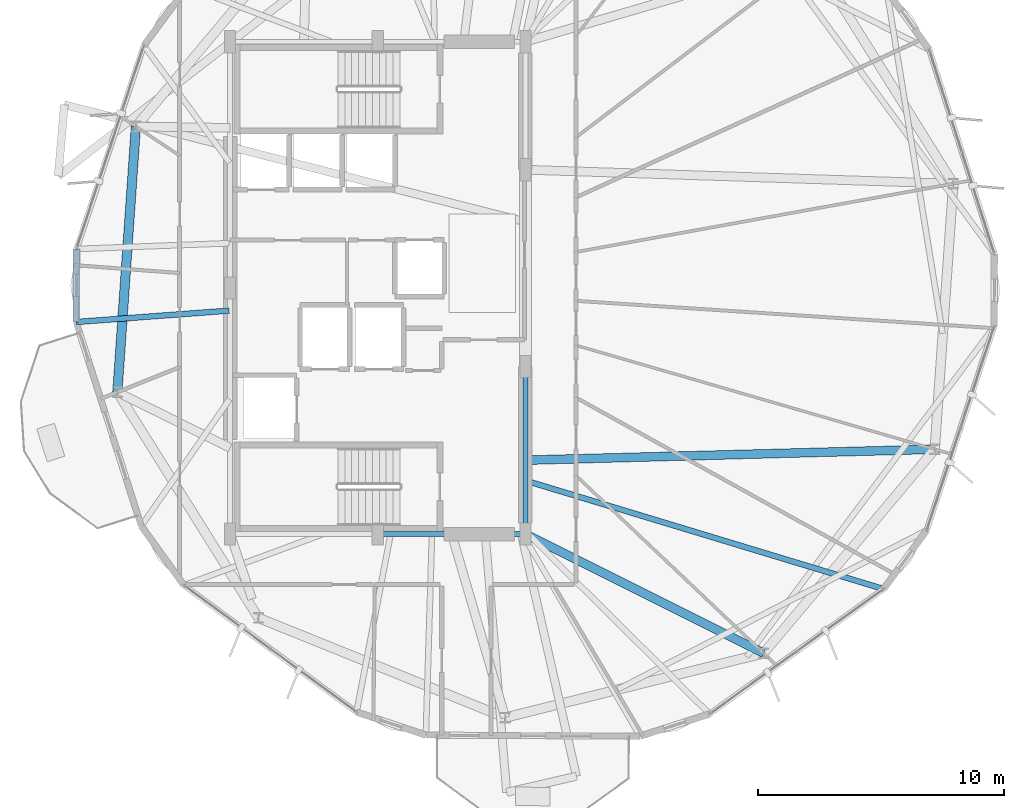
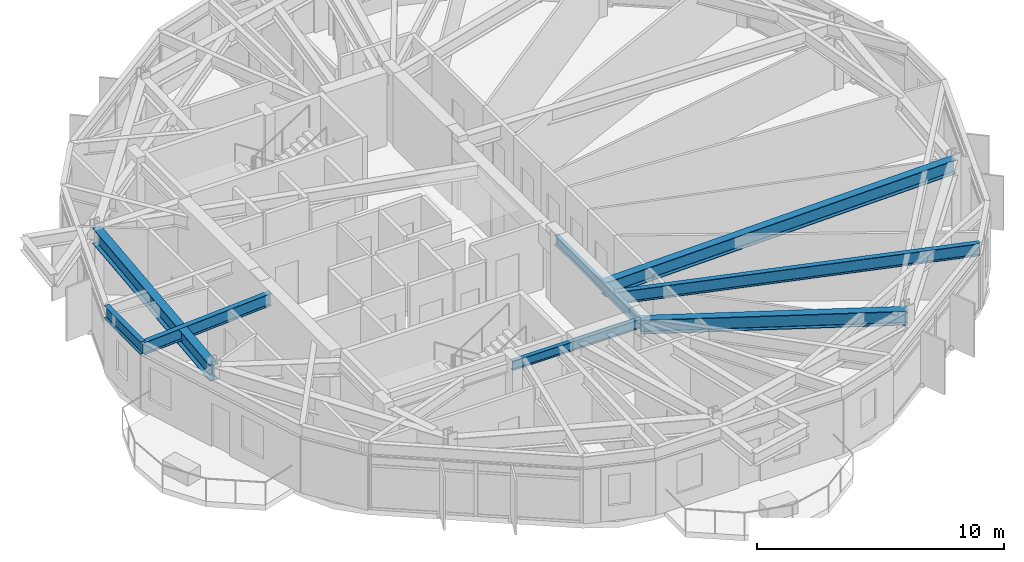
# One storey, part 5 of 24: 8 beams.
"""IFC4 building model written with IfcOpenShell, lengths in metres."""

import ifcopenshell
import ifcopenshell.guid

model = None  # the IFC model being written
_history = None  # IfcOwnerHistory: only IFC2X3 demands one
_inside = {}  # id of a spatial element -> (the spatial element, [elements in it])
_under = {}  # id of a project, library or spatial element -> (it, [spatial elements below it])
_declared = {}  # id of a project -> (the project, [libraries it declares])
_typed = {}  # id of a type object -> (the type object, [elements of that type])
_made_of = {}  # id of a material, layer set ... -> (it, [elements and type objects made of it])


def new_model(schema):
    """Start an empty IFC model of exactly this schema.

    Asked for "IFC4X3", IfcOpenShell would pick the latest addendum, in which some entities
    have other attributes; the version numbers below select the first issue.
    IFC2X3 requires an IfcOwnerHistory on every rooted entity: one is made here for all.
    """
    global model, _history
    if schema == "IFC4X3":
        model = ifcopenshell.file(schema_version=(4, 3, 0, 0))
    else:
        model = ifcopenshell.file(schema=schema)
    _inside.clear()
    _under.clear()
    _declared.clear()
    _typed.clear()
    _made_of.clear()
    _history = None
    if model.schema == "IFC2X3":
        org = make("IfcOrganization", Name="unknown")
        user = make(
            "IfcPersonAndOrganization",
            ThePerson=make("IfcPerson", FamilyName="unknown"),
            TheOrganization=org,
        )
        app = make(
            "IfcApplication",
            ApplicationDeveloper=org,
            Version="unknown",
            ApplicationFullName="unknown",
            ApplicationIdentifier="unknown",
        )
        _history = make(
            "IfcOwnerHistory",
            OwningUser=user,
            OwningApplication=app,
            ChangeAction="ADDED",
            CreationDate=0,
        )
    return model


def make(cls, **values):
    """One entity of the class cls with the attributes given. An attribute that is None is left unset."""
    return model.create_entity(
        cls, **{name: value for name, value in values.items() if value is not None}
    )


def rooted(cls, **values):
    """An entity with a GlobalId (a new one), such as an element, a storey or a relation."""
    return make(cls, GlobalId=ifcopenshell.guid.new(), OwnerHistory=_history, **values)


def si_unit(unit_type, name, prefix=None):
    """IfcSIUnit, for example si_unit("LENGTHUNIT", "METRE", prefix="MILLI")."""
    return make("IfcSIUnit", UnitType=unit_type, Prefix=prefix, Name=name)


def assignment(units):
    """IfcUnitAssignment: the units of a project."""
    return None if units is None else make("IfcUnitAssignment", Units=units)


def point(xyz):
    """IfcCartesianPoint."""
    return None if xyz is None else make("IfcCartesianPoint", Coordinates=xyz)


def direction(xyz):
    """IfcDirection."""
    return None if xyz is None else make("IfcDirection", DirectionRatios=xyz)


def frame(location, z_axis=None, x_axis=None):
    """IfcAxis2Placement3D, a coordinate frame: its origin and axes. An axis left out is left unset."""
    return make(
        "IfcAxis2Placement3D",
        Location=point(location),
        Axis=direction(z_axis),
        RefDirection=direction(x_axis),
    )


def frame_2d(location, x_axis=None):
    """IfcAxis2Placement2D, a coordinate frame in the plane: its origin and x axis."""
    return make(
        "IfcAxis2Placement2D", Location=point(location), RefDirection=direction(x_axis)
    )


def origin():
    """The frame at (0, 0, 0) with its axes left unset."""
    return frame((0.0, 0.0, 0.0))


def origin_2d():
    """The frame at (0, 0) in the plane with its x axis left unset."""
    return frame_2d((0.0, 0.0))


def place(relative_to, where):
    """IfcLocalPlacement: puts the frame where relative to a parent placement (None: the world)."""
    return make(
        "IfcLocalPlacement", PlacementRelTo=relative_to, RelativePlacement=where
    )


def context(
    kind, dimensions, precision=None, world=None, true_north=None, identifier=None
):
    """IfcGeometricRepresentationContext, for example the 3D "Model" context."""
    return make(
        "IfcGeometricRepresentationContext",
        ContextIdentifier=identifier,
        ContextType=kind,
        CoordinateSpaceDimension=dimensions,
        Precision=precision,
        WorldCoordinateSystem=world,
        TrueNorth=true_north,
    )


def subcontext(parent, identifier, kind, view, scale=None):
    """IfcGeometricRepresentationSubContext, for example "Body" below "Model"."""
    return make(
        "IfcGeometricRepresentationSubContext",
        ContextIdentifier=identifier,
        ContextType=kind,
        ParentContext=parent,
        TargetScale=scale,
        TargetView=view,
    )


def project(units=None, contexts=None):
    """IfcProject with its units and contexts."""
    return rooted(
        "IfcProject",
        Name="project",
        RepresentationContexts=contexts,
        UnitsInContext=assignment(units),
    )


def spatial(cls, under=None, at=None, **own):
    """A site, building, storey or space (cls), placed at a placement, below another one or the project."""
    s = rooted(cls, ObjectPlacement=at, **own)
    if under is not None:
        _under.setdefault(under.id(), (under, []))[1].append(s)
    return s


def profile(cls, at=None, kind="AREA", **sizes):
    """A parametric profile (cls). Its sizes go by their IFC names, for example OverallWidth=200.0."""
    return make(cls, ProfileType=kind, Position=at, **sizes)


def i_section(**sizes):
    """IfcIShapeProfileDef."""
    return profile("IfcIShapeProfileDef", **sizes)


def extrude(swept, where, along, depth):
    """IfcExtrudedAreaSolid: the profile swept, set in the frame where, extruded along a direction by depth."""
    return make(
        "IfcExtrudedAreaSolid",
        SweptArea=swept,
        Position=where,
        ExtrudedDirection=direction(along),
        Depth=depth,
    )


def shape(context_of_items, identifier, shape_type, items):
    """IfcShapeRepresentation: the items that make up one representation, for example the "Body"."""
    return make(
        "IfcShapeRepresentation",
        ContextOfItems=context_of_items,
        RepresentationIdentifier=identifier,
        RepresentationType=shape_type,
        Items=items,
    )


def material(Name=None, Category=None):
    """IfcMaterial."""
    return make("IfcMaterial", Name=Name, Category=Category)


def material_profile(
    of_material, cross_section, Name=None, Category=None, Priority=None
):
    """IfcMaterialProfile: a cross section and its material."""
    return make(
        "IfcMaterialProfile",
        Name=Name,
        Material=of_material,
        Profile=cross_section,
        Priority=Priority,
        Category=Category,
    )


def profile_set(profiles, Name=None, composite=None):
    """IfcMaterialProfileSet."""
    return make(
        "IfcMaterialProfileSet",
        Name=Name,
        MaterialProfiles=profiles,
        CompositeProfile=composite,
    )


def made_of(thing, what):
    """Note that an element or type object is made of a material, layer set ...; save() writes the relation."""
    if what is not None:
        _made_of.setdefault(what.id(), (what, []))[1].append(thing)
    return thing


def type_object(cls, material=None, **own):
    """A type object (cls), such as IfcWallType, which elements share."""
    return made_of(rooted(cls, **own), material)


def element(
    cls,
    number,
    at=None,
    inside=None,
    cuts=None,
    type_object=None,
    material=None,
    context=None,
    identifier="Body",
    shape_type=None,
    held_by="IfcProductDefinitionShape",
    body=None,
    shapes=None,
    **own,
):
    """One element of the class cls, such as IfcWall. Its Tag is "e" and its number.

    at: its placement. inside: the storey or other place that contains it. cuts: it is an
    opening in that element (IfcRelVoidsElement). A single representation is given by context,
    identifier, shape_type and body (its items); several are given by shapes. held_by: the class
    of the entity that holds the representations. save() writes the other relations.
    """
    e = rooted(cls, Tag="e%d" % number, ObjectPlacement=at, **own)
    if body is not None:
        shapes = [shape(context, identifier, shape_type, body)]
    if shapes is not None:
        e.Representation = make(held_by, Representations=shapes)
    if inside is not None:
        _inside.setdefault(inside.id(), (inside, []))[1].append(e)
    if cuts is not None:
        rooted(
            "IfcRelVoidsElement", RelatingBuildingElement=cuts, RelatedOpeningElement=e
        )
    if type_object is not None:
        _typed.setdefault(type_object.id(), (type_object, []))[1].append(e)
    return made_of(e, material)


def aggregate(whole, parts):
    """IfcRelAggregates: a whole, such as a stair, and the parts it consists of."""
    return rooted("IfcRelAggregates", RelatingObject=whole, RelatedObjects=parts)


def save(model, path):
    """Write the relations noted so far, then the file.

    IfcRelAggregates (storeys below a building ...), IfcRelContainedInSpatialStructure (elements
    in a storey), IfcRelDefinesByType, IfcRelAssociatesMaterial and IfcRelDeclares: one each for
    every whole, place, type object, material and project.
    """
    for whole, parts in _under.values():
        aggregate(whole, parts)
    for where, things in _inside.values():
        rooted(
            "IfcRelContainedInSpatialStructure",
            RelatedElements=things,
            RelatingStructure=where,
        )
    for kind, things in _typed.values():
        rooted("IfcRelDefinesByType", RelatedObjects=things, RelatingType=kind)
    for what, things in _made_of.values():
        rooted("IfcRelAssociatesMaterial", RelatedObjects=things, RelatingMaterial=what)
    for by, libraries in _declared.values():
        rooted("IfcRelDeclares", RelatingContext=by, RelatedDefinitions=libraries)
    model.write(path)


model = new_model("IFC4")

# Units and contexts
model_context = context("Model", 3, precision=1e-05, world=origin(), true_north=direction((0.0, 1.0)))
body_context = subcontext(model_context, "Body", "Model", "MODEL_VIEW")
ifc_project = project(units=[si_unit("LENGTHUNIT", "METRE"), si_unit("AREAUNIT", "SQUARE_METRE"), si_unit("VOLUMEUNIT", "CUBIC_METRE"), si_unit("PLANEANGLEUNIT", "RADIAN"), si_unit("MASSUNIT", "GRAM", prefix="KILO")], contexts=[model_context])

# Site, building, storey
site_placement = place(None, origin())
site = spatial("IfcSite", under=ifc_project, at=site_placement, CompositionType="ELEMENT")
building_placement = place(site_placement, origin())
building = spatial("IfcBuilding", under=site, at=building_placement, Name="Soratama Intermodal Tower", CompositionType="ELEMENT")
storey_placement = place(building_placement, frame((0.0, 0.0, 164.199951171875)))
storey = spatial("IfcBuildingStorey", under=building, at=storey_placement, Name="L40", CompositionType="ELEMENT", Elevation=164.199951171875)

# Beams
ifc_material_1 = material(Name="Structural steel ASTM A992 Grade 50", Category="steel")
ifc_material_profile_1 = material_profile(ifc_material_1, i_section(OverallWidth=0.19091796875, OverallDepth=0.4599609375, WebThickness=0.010009765625, FlangeThickness=0.01611328125, FilletRadius=0.010986328125, at=origin_2d()), Name="W18X55")
ifc_profile_set_1 = profile_set([ifc_material_profile_1], Name="Structural steel ASTM A992 Grade 50")
beam_type_1 = type_object("IfcBeamType", Name="BM-FLR-W18X55", PredefinedType="BEAM", material=ifc_profile_set_1)
beam_1_placement = place(storey_placement, frame((38.60009765625, 15.0, 3.070068359375), z_axis=(1.0, 0.0, 0.0), x_axis=(0.0, 1.0, 0.0)))
element("IfcBeam", 1, at=beam_1_placement, inside=storey, type_object=beam_type_1, Name="BM-L40-CRING-02", PredefinedType="BEAM", context=body_context, shape_type="SweptSolid", body=[
    extrude(i_section(OverallWidth=0.19091796875, OverallDepth=0.4599609375, WebThickness=0.010009765625, FlangeThickness=0.01611328125, FilletRadius=0.010986328125, at=origin_2d()), origin(), (0.0, 0.0, 1.0), 6.0),
])
beam_2_placement = place(storey_placement, frame((44.60009765625, 15.0, 3.070068359375), z_axis=(0.0, 1.0, 0.0), x_axis=(-1.0, 0.0, 0.0)))
element("IfcBeam", 2, at=beam_2_placement, inside=storey, type_object=beam_type_1, Name="BM-L40-CRING-03", PredefinedType="BEAM", context=body_context, shape_type="SweptSolid", body=[
    extrude(i_section(OverallWidth=0.19091796875, OverallDepth=0.4599609375, WebThickness=0.010009765625, FlangeThickness=0.01611328125, FilletRadius=0.010986328125, at=origin_2d()), origin(), (0.0, 0.0, 1.0), 6.800048828125),
])
ifc_material_2 = material(Name="Structural steel ASTM A992 Grade 50", Category="steel")
ifc_material_profile_2 = material_profile(ifc_material_2, i_section(OverallWidth=0.35498046875, OverallDepth=0.695068359375, WebThickness=0.015380859375, FlangeThickness=0.02490234375, FilletRadius=0.01611328125, at=origin_2d()), Name="W27X146")
ifc_profile_set_2 = profile_set([ifc_material_profile_2], Name="Structural steel ASTM A992 Grade 50")
beam_type_2 = type_object("IfcBeamType", Name="BM-RING-W27X146", PredefinedType="BEAM", material=ifc_profile_set_2)
beam_3_placement = place(storey_placement, frame((44.60009765625, 15.0, 2.95263671875), z_axis=(0.894273669201, -0.447520507434, 0.0), x_axis=(0.447520507434, 0.894273669201, 0.0)))
element("IfcBeam", 3, at=beam_3_placement, inside=storey, type_object=beam_type_2, Name="BM-L40-RAD-09", PredefinedType="BEAM", context=body_context, shape_type="SweptSolid", body=[
    extrude(i_section(OverallWidth=0.35498046875, OverallDepth=0.695068359375, WebThickness=0.015380859375, FlangeThickness=0.02490234375, FilletRadius=0.01611328125, at=origin_2d()), origin(), (0.0, 0.0, 1.0), 10.817626953125),
])
beam_4_placement = place(storey_placement, frame((44.60009765625, 18.0, 2.95263671875), z_axis=(0.999643459503, 0.026701196077, 0.0), x_axis=(-0.026701196077, 0.999643459503, 0.0)))
element("IfcBeam", 4, at=beam_4_placement, inside=storey, type_object=beam_type_2, Name="BM-L40-RAD-10", PredefinedType="BEAM", context=body_context, shape_type="SweptSolid", body=[
    extrude(i_section(OverallWidth=0.35498046875, OverallDepth=0.695068359375, WebThickness=0.015380859375, FlangeThickness=0.02490234375, FilletRadius=0.01611328125, at=origin_2d()), origin(), (0.0, 0.0, 1.0), 16.6318359375),
])
ifc_material_3 = material(Name="Structural steel ASTM A992 Grade 50", Category="steel")
ifc_material_profile_3 = material_profile(ifc_material_3, i_section(OverallWidth=0.382080078125, OverallDepth=0.779052734375, WebThickness=0.01806640625, FlangeThickness=0.030029296875, FilletRadius=0.01806640625, at=origin_2d()), Name="W30X191")
ifc_profile_set_3 = profile_set([ifc_material_profile_3], Name="Structural steel ASTM A992 Grade 50")
beam_type_3 = type_object("IfcBeamType", Name="BM-RING-W30X191", PredefinedType="BEAM", material=ifc_profile_set_3)
beam_5_placement = place(storey_placement, frame((28.77392578125, 31.555908203125, 2.91064453125), z_axis=(-0.069702217409, -0.99756784275, 0.0), x_axis=(0.99756784275, -0.069702217409, 0.0)))
element("IfcBeam", 5, at=beam_5_placement, inside=storey, type_object=beam_type_3, Name="BM-L40-RING-05", PredefinedType="BEAM", context=body_context, shape_type="SweptSolid", body=[
    extrude(i_section(OverallWidth=0.382080078125, OverallDepth=0.779052734375, WebThickness=0.01806640625, FlangeThickness=0.030029296875, FilletRadius=0.01806640625, at=origin_2d()), origin(), (0.0, 0.0, 1.0), 10.816162109375),
])
ifc_material_4 = material(Name="Structural steel ASTM A992 Grade 50", Category="steel")
ifc_material_profile_4 = material_profile(ifc_material_4, i_section(OverallWidth=0.22900390625, OverallDepth=0.612060546875, WebThickness=0.011962890625, FlangeThickness=0.01953125, FilletRadius=0.012939453125, at=origin_2d()), Name="W24X84")
ifc_profile_set_4 = profile_set([ifc_material_profile_4], Name="Structural steel ASTM A992 Grade 50")
beam_type_4 = type_object("IfcBeamType", Name="BM-SPN-W24X84", PredefinedType="SPANDREL", material=ifc_profile_set_4)
beam_6_placement = place(storey_placement, frame((26.362060546875, 26.5810546875, 2.994140625), z_axis=(-0.005430677754, -0.999985253761, 0.0), x_axis=(0.999985253761, -0.005430677754, 0.0)))
element("IfcBeam", 6, at=beam_6_placement, inside=storey, type_object=beam_type_4, Name="BS-L40-CRN04", PredefinedType="SPANDREL", context=body_context, shape_type="SweptSolid", body=[
    extrude(i_section(OverallWidth=0.22900390625, OverallDepth=0.612060546875, WebThickness=0.011962890625, FlangeThickness=0.01953125, FilletRadius=0.012939453125, at=origin_2d()), origin(), (0.0, 0.0, 1.0), 2.967041015625),
])
ifc_material_5 = material(Name="Structural steel ASTM A992 Grade 50", Category="steel")
ifc_material_profile_5 = material_profile(ifc_material_5, i_section(OverallWidth=0.22900390625, OverallDepth=0.612060546875, WebThickness=0.011962890625, FlangeThickness=0.01953125, FilletRadius=0.012939453125, at=origin_2d()), Name="W24X84")
ifc_profile_set_5 = profile_set([ifc_material_profile_5], Name="Structural steel ASTM A992 Grade 50")
beam_type_5 = type_object("IfcBeamType", Name="BM-TIE-W24X84", PredefinedType="BEAM", material=ifc_profile_set_5)
beam_7_placement = place(storey_placement, frame((32.56005859375, 24.075927734375, 2.994140625), z_axis=(-0.997248692609, -0.074128571344, 0.0), x_axis=(0.074128571344, -0.997248692609, 0.0)))
element("IfcBeam", 7, at=beam_7_placement, inside=storey, type_object=beam_type_5, Name="BM-L40-TIE0-05", PredefinedType="BEAM", context=body_context, shape_type="SweptSolid", body=[
    extrude(i_section(OverallWidth=0.22900390625, OverallDepth=0.612060546875, WebThickness=0.011962890625, FlangeThickness=0.01953125, FilletRadius=0.012939453125, at=origin_2d()), origin(), (0.0, 0.0, 1.0), 6.231201171875),
])
beam_8_placement = place(storey_placement, frame((44.637939453125, 17.159912109375, 2.994140625), z_axis=(0.957093306738, -0.28977992028, 0.0), x_axis=(0.28977992028, 0.957093306738, 0.0)))
element("IfcBeam", 8, at=beam_8_placement, inside=storey, type_object=beam_type_5, Name="BM-L40-TIE1-08", PredefinedType="BEAM", context=body_context, shape_type="SweptSolid", body=[
    extrude(i_section(OverallWidth=0.22900390625, OverallDepth=0.612060546875, WebThickness=0.011962890625, FlangeThickness=0.01953125, FilletRadius=0.012939453125, at=origin_2d()), origin(), (0.0, 0.0, 1.0), 15.16259765625),
])

save(model, "model.ifc")
